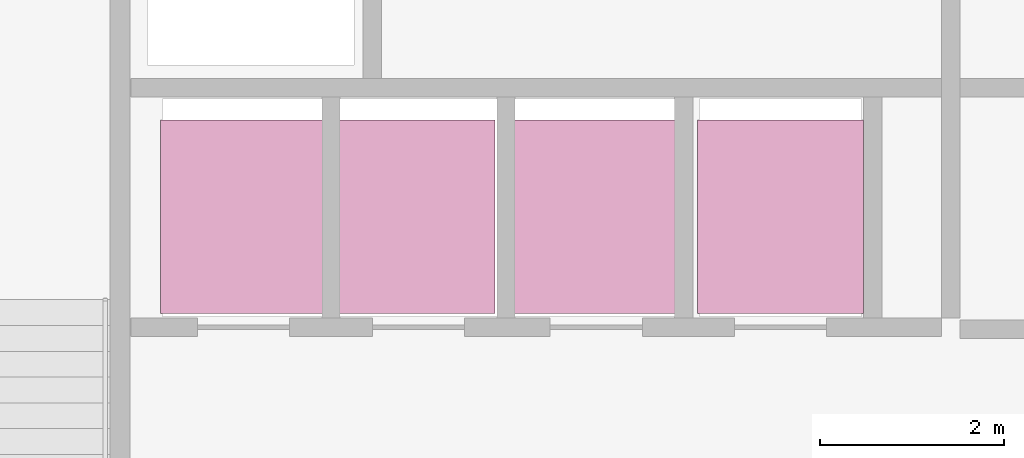
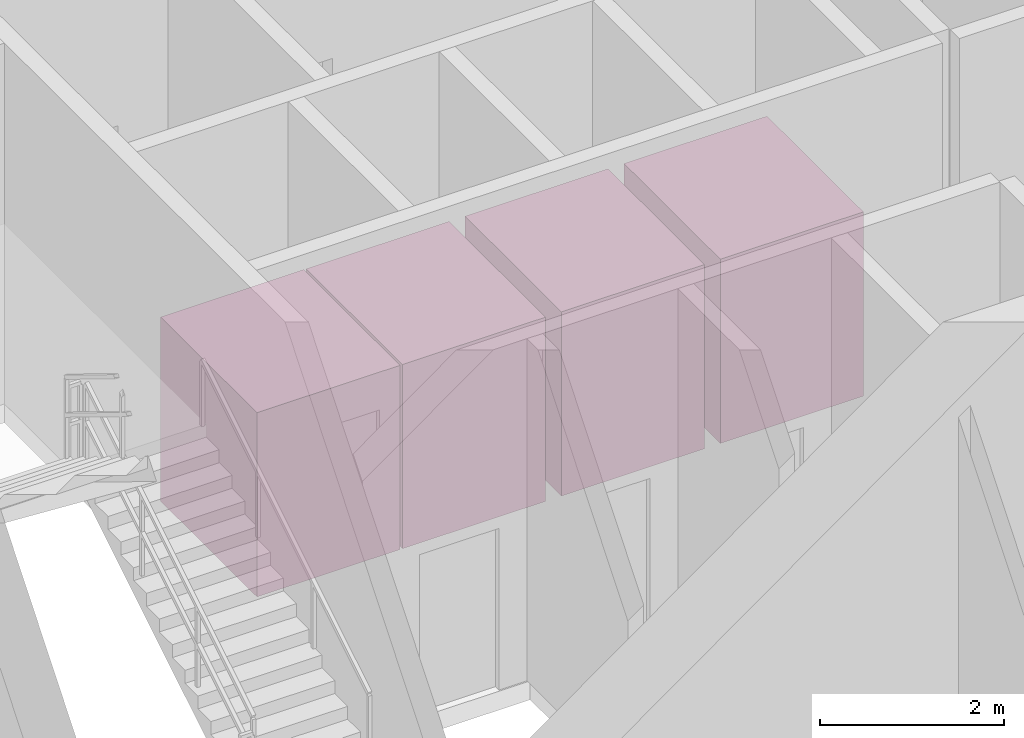
# One storey, part 15 of 15: 4 transport elements.
"""IFC4 building model written with IfcOpenShell, lengths in metres."""

from ifc_helpers import new_model, si_unit, direction, frame, origin, origin_2d, place, context, subcontext, project, spatial, rectangle, extrude, source, transform, mapped, material, type_object, type_shapes, element, save


model = new_model("IFC4")

# Units and contexts
model_context = context("Model", 3, precision=1e-05, world=origin(), true_north=direction((0.0, 1.0)))
body_context = subcontext(model_context, "Body", "Model", "MODEL_VIEW")
ifc_project = project(units=[si_unit("LENGTHUNIT", "METRE"), si_unit("AREAUNIT", "SQUARE_METRE"), si_unit("VOLUMEUNIT", "CUBIC_METRE"), si_unit("PLANEANGLEUNIT", "RADIAN"), si_unit("MASSUNIT", "GRAM", prefix="KILO")], contexts=[model_context])

# Site, building, storey
site_placement = place(None, origin())
site = spatial("IfcSite", under=ifc_project, at=site_placement, CompositionType="ELEMENT")
building_placement = place(site_placement, origin())
building = spatial("IfcBuilding", under=site, at=building_placement, Name="Breltana Convention Tower", CompositionType="ELEMENT")
storey_placement = place(building_placement, frame((0.0, 0.0, 91.199951171875)))
storey = spatial("IfcBuildingStorey", under=building, at=storey_placement, Name="L21", CompositionType="ELEMENT", Elevation=91.199951171875)

# Transport elements
ifc_material = material(Name="Stainless Steel Cab Assembly", Category="steel")
transport_element_type = type_object("IfcTransportElementType", Name="LFT-PAX-1600", PredefinedType="ELEVATOR", material=ifc_material)
shared_shape = source(origin(), body_context, "Body", "SweptSolid", [
    extrude(rectangle(XDim=1.800048828125, YDim=2.10009765625, at=origin_2d()), origin(), (0.0, 0.0, 1.0), 2.449951171875),
])
type_shapes(transport_element_type, [shared_shape])
for number, where, z_axis, x_axis, name in (
    (1, (41.919921875, 66.89990234375, 0.0), (0.0, 0.0, 1.0), (1.0, 0.0, 0.0), "Mid Lift PL-M1"),
    (2, (43.75, 66.89990234375, 0.0), (0.0, 0.0, 1.0), (1.0, 0.0, 0.0), "Mid Lift PL-M2"),
    (3, (45.75, 66.89990234375, 0.0), (0.0, 0.0, 1.0), (1.0, 0.0, 0.0), "Mid Lift PL-M3"),
    (4, (47.75, 66.89990234375, 0.0), (0.0, 0.0, 1.0), (1.0, 0.0, 0.0), "Mid Lift PL-M4"),
):
    element("IfcTransportElement", number, at=place(storey_placement, frame(where, z_axis=z_axis, x_axis=x_axis)), inside=storey, type_object=transport_element_type, Name=name, PredefinedType="ELEVATOR", context=body_context, shape_type="MappedRepresentation", body=[
        mapped(shared_shape, transform((0.0, 0.0, 0.0), scale=1.0)),
    ])

save(model, "model.ifc")
